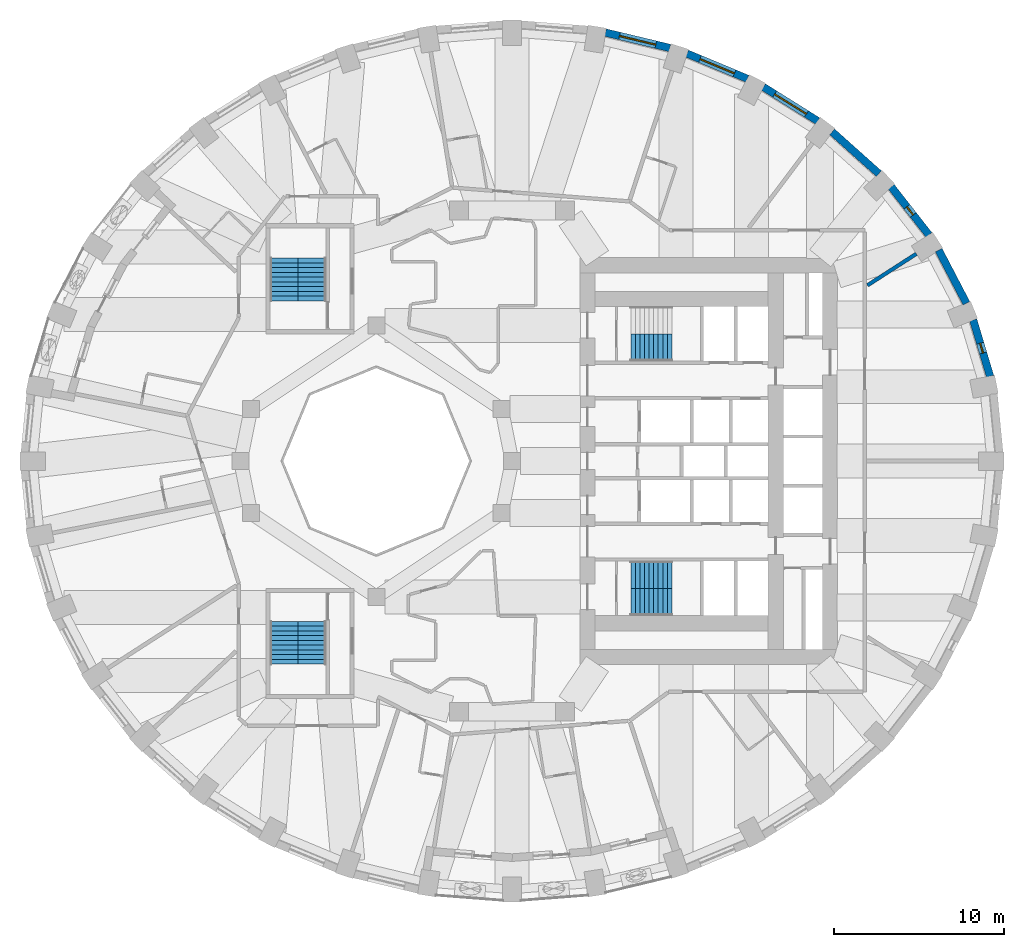
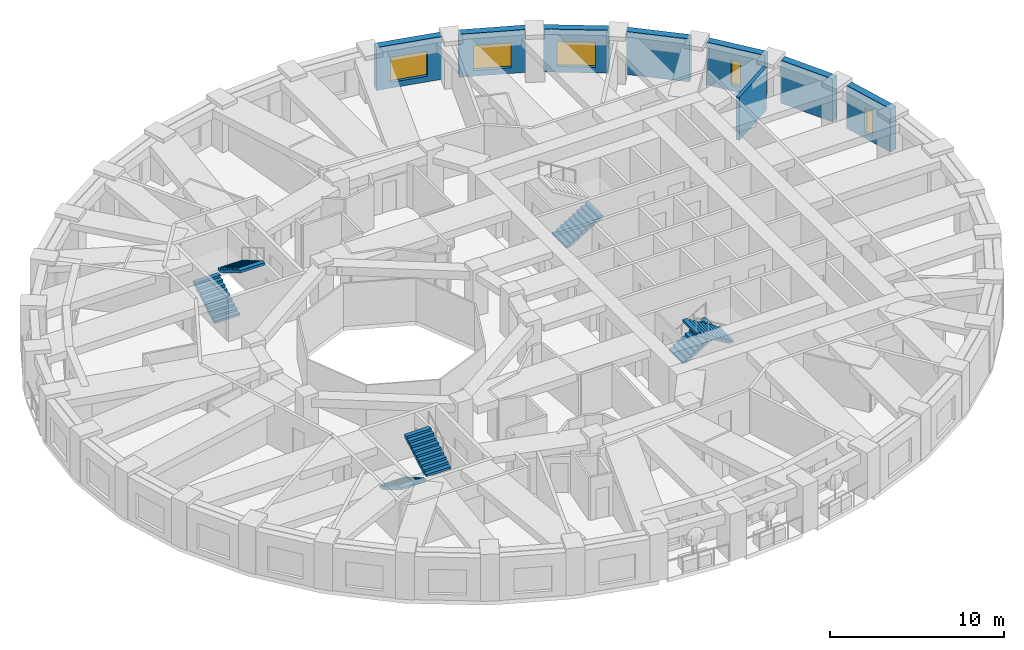
# One storey, part 9 of 13: 8 walls, 7 stair flights, 5 windows, 5 openings, 4 elements without a shape of their own.
"""IFC4 building model written with IfcOpenShell, lengths in metres."""

from ifc_helpers import new_model, si_unit, direction, frame, frame_2d, origin, place, context, subcontext, project, spatial, polyline, rectangle, outline, extrude, material, layer, layer_set, type_object, element, fill, aggregate, save


model = new_model("IFC4")

# Units and contexts
model_context = context("Model", 3, precision=1e-05, world=origin(), true_north=direction((0.0, 1.0)))
body_context = subcontext(model_context, "Body", "Model", "MODEL_VIEW")
ifc_project = project(units=[si_unit("LENGTHUNIT", "METRE"), si_unit("AREAUNIT", "SQUARE_METRE"), si_unit("VOLUMEUNIT", "CUBIC_METRE"), si_unit("PLANEANGLEUNIT", "RADIAN"), si_unit("MASSUNIT", "GRAM", prefix="KILO")], contexts=[model_context])

# Site, building, storey
site_placement = place(None, origin())
site = spatial("IfcSite", under=ifc_project, at=site_placement, CompositionType="ELEMENT")
building_placement = place(site_placement, origin())
building = spatial("IfcBuilding", under=site, at=building_placement, Name="Taillehof Tower", CompositionType="ELEMENT")
storey_placement = place(building_placement, frame((0.0, 0.0, 31.60009765625)))
storey = spatial("IfcBuildingStorey", under=building, at=storey_placement, Name="L07", CompositionType="ELEMENT", Elevation=31.60009765625)

# Wall, opening, window
ifc_material_1 = material(Name="Brick masonry", Category="masonry")
ifc_layer_1 = layer(ifc_material_1, 0.449951171875)
ifc_layer_set_1 = layer_set([ifc_layer_1], Name="Brick infill wall 450")
wall_type_1 = type_object("IfcWallType", Name="Brick infill wall 450", PredefinedType="SOLIDWALL", material=ifc_layer_set_1)
wall_1_placement = place(storey_placement, frame((28.181884765625, 4.995849609375, 0.0), z_axis=(0.0, 0.0, 1.0), x_axis=(-0.287064133733, 0.957911364963, 0.0)))
wall_1 = element("IfcWall", 1, at=wall_1_placement, inside=storey, type_object=wall_type_1, Name="Brick wall L07 bay 2", PredefinedType="SOLIDWALL", context=body_context, shape_type="SweptSolid", body=[
    extrude(rectangle(XDim=3.473388671875, YDim=0.449951171875, at=frame_2d((1.73681640625, 0.0))), origin(), (0.0, 0.0, 1.0), 3.02001953125),
])
opening_1_placement = place(wall_1_placement, frame((1.436767578125, 0.0, 0.39990234375)))
opening_1 = element("IfcOpeningElement", 2, at=opening_1_placement, cuts=wall_1, Name="Opening W6", PredefinedType="OPENING", context=body_context, shape_type="SweptSolid", body=[
    extrude(rectangle(XDim=0.60009765625, YDim=1.75, at=frame_2d((0.300048828125, 0.875))), frame((0.0, 0.23486328125, 0.0), z_axis=(0.0, -1.0, 0.0), x_axis=(1.0, 0.0, 0.0)), (0.0, 0.0, 1.0), 0.469970703125),
])
ifc_material_2 = material(Name="Aluminium window frame with clear double glazing", Category="aluminium")
window_type_1 = type_object("IfcWindowType", Name="Slot window 600x1750", PartitioningType="SINGLE_PANEL", PredefinedType="WINDOW", material=ifc_material_2)
window_1_placement = place(opening_1_placement, origin())
window_1 = element("IfcWindow", 3, at=window_1_placement, inside=storey, type_object=window_type_1, Name="W6", OverallHeight=1.75, OverallWidth=0.60009765625, PartitioningType="SINGLE_PANEL", PredefinedType="WINDOW", context=body_context, shape_type="SweptSolid", body=[
    extrude(rectangle(XDim=0.60009765625, YDim=1.75, at=frame_2d((0.300048828125, 0.875))), frame((0.0, 0.034912109375, 0.0), z_axis=(0.0, -1.0, 0.0), x_axis=(1.0, 0.0, 0.0)), (0.0, 0.0, 1.0), 0.06005859375),
])
fill(opening_1, window_1)

# Wall
wall_2_placement = place(storey_placement, frame((26.78564453125, 9.30517578125, 0.0), z_axis=(0.0, 0.0, 1.0), x_axis=(-0.462492775226, 0.886623050041, 0.0)))
element("IfcWall", 4, at=wall_2_placement, inside=storey, type_object=wall_type_1, Name="Brick wall L07 bay 3", PredefinedType="SOLIDWALL", context=body_context, shape_type="SweptSolid", body=[
    extrude(rectangle(XDim=3.531982421875, YDim=0.449951171875, at=frame_2d((1.76611328125, 0.0))), origin(), (0.0, 0.0, 1.0), 3.02001953125),
])

# Wall, opening, window
wall_3_placement = place(storey_placement, frame((24.57763671875, 13.327880859375, 0.0), z_axis=(0.0, 0.0, 1.0), x_axis=(-0.616661975264, 0.787228053529, 0.0)))
wall_3 = element("IfcWall", 5, at=wall_3_placement, inside=storey, type_object=wall_type_1, Name="Brick wall L07 bay 4", PredefinedType="SOLIDWALL", context=body_context, shape_type="SweptSolid", body=[
    extrude(rectangle(XDim=3.60986328125, YDim=0.449951171875, at=frame_2d((1.804931640625, 0.0))), origin(), (0.0, 0.0, 1.0), 3.02001953125),
])
opening_2_placement = place(wall_3_placement, frame((1.5048828125, 0.0, 0.39990234375)))
opening_2 = element("IfcOpeningElement", 6, at=opening_2_placement, cuts=wall_3, Name="Opening W6", PredefinedType="OPENING", context=body_context, shape_type="SweptSolid", body=[
    extrude(rectangle(XDim=0.60009765625, YDim=1.75, at=frame_2d((0.300048828125, 0.875))), frame((0.0, 0.23486328125, 0.0), z_axis=(0.0, -1.0, 0.0), x_axis=(1.0, 0.0, 0.0)), (0.0, 0.0, 1.0), 0.469970703125),
])
window_2_placement = place(opening_2_placement, origin())
window_2 = element("IfcWindow", 7, at=window_2_placement, inside=storey, type_object=window_type_1, Name="W6", OverallHeight=1.75, OverallWidth=0.60009765625, PartitioningType="SINGLE_PANEL", PredefinedType="WINDOW", context=body_context, shape_type="SweptSolid", body=[
    extrude(rectangle(XDim=0.60009765625, YDim=1.75, at=frame_2d((0.300048828125, 0.875))), frame((0.0, 0.034912109375, 0.0), z_axis=(0.0, -1.0, 0.0), x_axis=(1.0, 0.0, 0.0)), (0.0, 0.0, 1.0), 0.06005859375),
])
fill(opening_2, window_2)

# Wall
wall_4_placement = place(storey_placement, frame((21.626708984375, 16.943115234375, 0.0), z_axis=(0.0, 0.0, 1.0), x_axis=(-0.745526233716, 0.66647628228, 0.0)))
element("IfcWall", 8, at=wall_4_placement, inside=storey, type_object=wall_type_1, Name="Brick wall L07 bay 5", PredefinedType="SOLIDWALL", context=body_context, shape_type="SweptSolid", body=[
    extrude(rectangle(XDim=3.69677734375, YDim=0.449951171875, at=frame_2d((1.848388671875, 0.0))), origin(), (0.0, 0.0, 1.0), 3.02001953125),
])

# Wall, opening, window
wall_5_placement = place(storey_placement, frame((18.02294921875, 20.043701171875, 0.0), z_axis=(0.0, 0.0, 1.0), x_axis=(-0.847635480093, 0.530579016629, 0.0)))
wall_5 = element("IfcWall", 9, at=wall_5_placement, inside=storey, type_object=wall_type_1, Name="Brick wall L07 bay 6", PredefinedType="SOLIDWALL", context=body_context, shape_type="SweptSolid", body=[
    extrude(rectangle(XDim=3.782470703125, YDim=0.449951171875, at=frame_2d((1.89111328125, 0.0))), origin(), (0.0, 0.0, 1.0), 3.02001953125),
])
opening_3_placement = place(wall_5_placement, frame((0.791259765625, 0.0, 0.39990234375)))
opening_3 = element("IfcOpeningElement", 10, at=opening_3_placement, cuts=wall_5, Name="Opening W1", PredefinedType="OPENING", context=body_context, shape_type="SweptSolid", body=[
    extrude(rectangle(XDim=2.199951171875, YDim=1.75, at=frame_2d((1.10009765625, 0.875))), frame((0.0, 0.23486328125, 0.0), z_axis=(0.0, -1.0, 0.0), x_axis=(1.0, 0.0, 0.0)), (0.0, 0.0, 1.0), 0.469970703125),
])
ifc_material_3 = material(Name="Aluminium window frame with clear double glazing", Category="aluminium")
window_type_2 = type_object("IfcWindowType", Name="Deep-set window 2200x1750", PartitioningType="SINGLE_PANEL", PredefinedType="WINDOW", material=ifc_material_3)
window_3_placement = place(opening_3_placement, origin())
window_3 = element("IfcWindow", 11, at=window_3_placement, inside=storey, type_object=window_type_2, Name="W1", OverallHeight=1.75, OverallWidth=2.199951171875, PartitioningType="SINGLE_PANEL", PredefinedType="WINDOW", context=body_context, shape_type="SweptSolid", body=[
    extrude(rectangle(XDim=2.199951171875, YDim=1.75, at=frame_2d((1.10009765625, 0.875))), frame((0.0, 0.034912109375, 0.0), z_axis=(0.0, -1.0, 0.0), x_axis=(1.0, 0.0, 0.0)), (0.0, 0.0, 1.0), 0.06005859375),
])
fill(opening_3, window_3)

wall_6_placement = place(storey_placement, frame((13.875, 22.537353515625, 0.0), z_axis=(0.0, 0.0, 1.0), x_axis=(-0.923031964282, 0.384723267966, 0.0)))
wall_6 = element("IfcWall", 12, at=wall_6_placement, inside=storey, type_object=wall_type_1, Name="Brick wall L07 bay 7", PredefinedType="SOLIDWALL", context=body_context, shape_type="SweptSolid", body=[
    extrude(rectangle(XDim=3.8564453125, YDim=0.449951171875, at=frame_2d((1.92822265625, 0.0))), origin(), (0.0, 0.0, 1.0), 3.02001953125),
])
opening_4_placement = place(wall_6_placement, frame((0.828125, 0.0, 0.39990234375)))
opening_4 = element("IfcOpeningElement", 13, at=opening_4_placement, cuts=wall_6, Name="Opening W1", PredefinedType="OPENING", context=body_context, shape_type="SweptSolid", body=[
    extrude(rectangle(XDim=2.199951171875, YDim=1.75, at=frame_2d((1.10009765625, 0.875))), frame((0.0, 0.23486328125, 0.0), z_axis=(0.0, -1.0, 0.0), x_axis=(1.0, 0.0, 0.0)), (0.0, 0.0, 1.0), 0.469970703125),
])
window_4_placement = place(opening_4_placement, origin())
window_4 = element("IfcWindow", 14, at=window_4_placement, inside=storey, type_object=window_type_2, Name="W1", OverallHeight=1.75, OverallWidth=2.199951171875, PartitioningType="SINGLE_PANEL", PredefinedType="WINDOW", context=body_context, shape_type="SweptSolid", body=[
    extrude(rectangle(XDim=2.199951171875, YDim=1.75, at=frame_2d((1.10009765625, 0.875))), frame((0.0, 0.034912109375, 0.0), z_axis=(0.0, -1.0, 0.0), x_axis=(1.0, 0.0, 0.0)), (0.0, 0.0, 1.0), 0.06005859375),
])
fill(opening_4, window_4)

wall_7_placement = place(storey_placement, frame((9.3076171875, 24.349609375, 0.0), z_axis=(0.0, 0.0, 1.0), x_axis=(-0.972496561493, 0.232917233979, 0.0)))
wall_7 = element("IfcWall", 15, at=wall_7_placement, inside=storey, type_object=wall_type_1, Name="Brick wall L07 bay 8", PredefinedType="SOLIDWALL", context=body_context, shape_type="SweptSolid", body=[
    extrude(rectangle(XDim=3.910888671875, YDim=0.449951171875, at=frame_2d((1.95556640625, 0.0))), origin(), (0.0, 0.0, 1.0), 3.02001953125),
])
opening_5_placement = place(wall_7_placement, frame((0.855224609375, 0.0, 0.39990234375)))
opening_5 = element("IfcOpeningElement", 16, at=opening_5_placement, cuts=wall_7, Name="Opening W1", PredefinedType="OPENING", context=body_context, shape_type="SweptSolid", body=[
    extrude(rectangle(XDim=2.199951171875, YDim=1.75, at=frame_2d((1.10009765625, 0.875))), frame((0.0, 0.23486328125, 0.0), z_axis=(0.0, -1.0, 0.0), x_axis=(1.0, 0.0, 0.0)), (0.0, 0.0, 1.0), 0.469970703125),
])
window_5_placement = place(opening_5_placement, origin())
window_5 = element("IfcWindow", 17, at=window_5_placement, inside=storey, type_object=window_type_2, Name="W1", OverallHeight=1.75, OverallWidth=2.199951171875, PartitioningType="SINGLE_PANEL", PredefinedType="WINDOW", context=body_context, shape_type="SweptSolid", body=[
    extrude(rectangle(XDim=2.199951171875, YDim=1.75, at=frame_2d((1.10009765625, 0.875))), frame((0.0, 0.034912109375, 0.0), z_axis=(0.0, -1.0, 0.0), x_axis=(1.0, 0.0, 0.0)), (0.0, 0.0, 1.0), 0.06005859375),
])
fill(opening_5, window_5)

# Wall
ifc_material_4 = material(Name="Gypsum board on double steel studs with mineral wool", Category="steel")
ifc_layer_2 = layer(ifc_material_4, 0.219970703125)
ifc_layer_set_2 = layer_set([ifc_layer_2], Name="Compartment wall guest room 220")
wall_type_2 = type_object("IfcWallType", Name="Compartment wall guest room 220", PredefinedType="PARTITIONING", material=ifc_layer_set_2)
wall_8_placement = place(storey_placement, frame((23.834716796875, 12.218994140625, 0.0), z_axis=(0.0, 0.0, 1.0), x_axis=(-0.840694872373, -0.541509124176, 0.0)))
element("IfcWall", 18, at=wall_8_placement, inside=storey, type_object=wall_type_2, Name="Compartment wall", PredefinedType="PARTITIONING", context=body_context, shape_type="SweptSolid", body=[
    extrude(rectangle(XDim=3.430419921875, YDim=0.219970703125, at=frame_2d((1.71533203125, 0.0))), origin(), (0.0, 0.0, 1.0), 3.02001953125),
])

# Stair, stair flight
ifc_material_5 = material(Name="Concrete C40/50", Category="concrete")
stair_type = type_object("IfcStairType", Name="Exit stair half-turn", PredefinedType="HALF_TURN_STAIR", material=ifc_material_5)
stair_1_placement = place(storey_placement, origin())
stair_1 = element("IfcStair", 19, at=stair_1_placement, inside=storey, type_object=stair_type, Name="Exit stair S1", PredefinedType="HALF_TURN_STAIR")
ifc_material_6 = material(Name="Concrete C40/50", Category="concrete")
stair_flight_type_1 = type_object("IfcStairFlightType", Name="Stair flight 1600 riser 165.0 going 270", PredefinedType="STRAIGHT", material=ifc_material_6)
stair_flight_1_placement = place(storey_placement, frame((7.0, 6.699951171875, 0.0), z_axis=(0.0, 0.0, 1.0), x_axis=(1.0, 0.0, 0.0)))
stair_flight_1 = element("IfcStairFlight", 20, at=stair_flight_1_placement, type_object=stair_flight_type_1, Name="S1 flight 1", NumberOfRisers=10, NumberOfTreads=9, PredefinedType="STRAIGHT", RiserHeight=0.165, TreadLength=0.27, context=body_context, shape_type="SweptSolid", body=[
    extrude(outline(polyline([(0.0, 0.0), (0.0, 0.00537109375), (0.0, 0.0107421875), (0.0, 0.015869140625), (0.0, 0.021240234375), (0.0, 0.026611328125), (0.0, 0.031982421875), (0.0, 0.037353515625), (0.0, 0.04248046875), (0.0, 0.0478515625), (0.0, 0.05322265625), (0.0, 0.05859375), (0.0, 0.06396484375), (0.0, 0.069091796875), (0.0, 0.074462890625), (0.0, 0.079833984375), (0.0, 0.085205078125), (0.0, 0.090576171875), (0.0, 0.095703125), (0.0, 0.10107421875), (0.0, 0.1064453125), (0.0, 0.11181640625), (0.0, 0.1171875), (0.0, 0.122314453125), (0.0, 0.127685546875), (0.0, 0.133056640625), (0.0, 0.138427734375), (0.0, 0.143798828125), (0.0, 0.14892578125), (0.0, 0.154296875), (0.0, 0.15966796875), (0.0, 0.1650390625), (0.27001953125, 0.1650390625), (0.27001953125, 0.330078125), (0.5400390625, 0.330078125), (0.5400390625, 0.4951171875), (0.81005859375, 0.4951171875), (0.81005859375, 0.659912109375), (1.080078125, 0.659912109375), (1.080078125, 0.824951171875), (1.35009765625, 0.824951171875), (1.35009765625, 0.989990234375), (1.6201171875, 0.989990234375), (1.6201171875, 1.155029296875), (1.889892578125, 1.155029296875), (1.889892578125, 1.320068359375), (2.159912109375, 1.320068359375), (2.159912109375, 1.485107421875), (2.429931640625, 1.485107421875), (2.429931640625, 1.479248046875), (2.429931640625, 1.4736328125), (2.429931640625, 1.468017578125), (2.429931640625, 1.46240234375), (2.429931640625, 1.45654296875), (2.429931640625, 1.450927734375), (2.429931640625, 1.4453125), (2.429931640625, 1.439697265625), (2.429931640625, 1.43408203125), (2.429931640625, 1.42822265625), (2.429931640625, 1.422607421875), (2.429931640625, 1.4169921875), (2.429931640625, 1.411376953125), (2.429931640625, 1.40576171875), (2.429931640625, 1.39990234375), (2.429931640625, 1.394287109375), (2.429931640625, 1.388671875), (2.429931640625, 1.383056640625), (2.429931640625, 1.37744140625), (2.429931640625, 1.37158203125), (2.429931640625, 1.365966796875), (2.429931640625, 1.3603515625), (2.429931640625, 1.354736328125), (2.429931640625, 1.348876953125), (2.429931640625, 1.34326171875), (2.429931640625, 1.337646484375), (2.429931640625, 1.33203125), (2.429931640625, 1.326416015625), (2.429931640625, 1.320556640625), (2.429931640625, 1.31494140625), (2.429931640625, 1.309326171875), (0.287353515625, 0.0), (0.0, 0.0)])), frame((0.0, 0.800048828125, 0.0), z_axis=(0.0, -1.0, 0.0), x_axis=(1.0, 0.0, 0.0)), (0.0, 0.0, 1.0), 1.6),
])
aggregate(stair_1, [stair_flight_1])

# Stair, stair flights
stair_2_placement = place(storey_placement, origin())
stair_2 = element("IfcStair", 21, at=stair_2_placement, inside=storey, type_object=stair_type, Name="Exit stair S2", PredefinedType="HALF_TURN_STAIR")
stair_flight_2_placement = place(storey_placement, frame((7.0, -6.699951171875, 0.0), z_axis=(0.0, 0.0, 1.0), x_axis=(1.0, 0.0, 0.0)))
stair_flight_2 = element("IfcStairFlight", 22, at=stair_flight_2_placement, type_object=stair_flight_type_1, Name="S2 flight 1", NumberOfRisers=10, NumberOfTreads=9, PredefinedType="STRAIGHT", RiserHeight=0.165, TreadLength=0.27, context=body_context, shape_type="SweptSolid", body=[
    extrude(outline(polyline([(0.0, 0.0), (0.0, 0.00537109375), (0.0, 0.0107421875), (0.0, 0.015869140625), (0.0, 0.021240234375), (0.0, 0.026611328125), (0.0, 0.031982421875), (0.0, 0.037353515625), (0.0, 0.04248046875), (0.0, 0.0478515625), (0.0, 0.05322265625), (0.0, 0.05859375), (0.0, 0.06396484375), (0.0, 0.069091796875), (0.0, 0.074462890625), (0.0, 0.079833984375), (0.0, 0.085205078125), (0.0, 0.090576171875), (0.0, 0.095703125), (0.0, 0.10107421875), (0.0, 0.1064453125), (0.0, 0.11181640625), (0.0, 0.1171875), (0.0, 0.122314453125), (0.0, 0.127685546875), (0.0, 0.133056640625), (0.0, 0.138427734375), (0.0, 0.143798828125), (0.0, 0.14892578125), (0.0, 0.154296875), (0.0, 0.15966796875), (0.0, 0.1650390625), (0.27001953125, 0.1650390625), (0.27001953125, 0.330078125), (0.5400390625, 0.330078125), (0.5400390625, 0.4951171875), (0.81005859375, 0.4951171875), (0.81005859375, 0.659912109375), (1.080078125, 0.659912109375), (1.080078125, 0.824951171875), (1.35009765625, 0.824951171875), (1.35009765625, 0.989990234375), (1.6201171875, 0.989990234375), (1.6201171875, 1.155029296875), (1.889892578125, 1.155029296875), (1.889892578125, 1.320068359375), (2.159912109375, 1.320068359375), (2.159912109375, 1.485107421875), (2.429931640625, 1.485107421875), (2.429931640625, 1.479248046875), (2.429931640625, 1.4736328125), (2.429931640625, 1.468017578125), (2.429931640625, 1.46240234375), (2.429931640625, 1.45654296875), (2.429931640625, 1.450927734375), (2.429931640625, 1.4453125), (2.429931640625, 1.439697265625), (2.429931640625, 1.43408203125), (2.429931640625, 1.42822265625), (2.429931640625, 1.422607421875), (2.429931640625, 1.4169921875), (2.429931640625, 1.411376953125), (2.429931640625, 1.40576171875), (2.429931640625, 1.39990234375), (2.429931640625, 1.394287109375), (2.429931640625, 1.388671875), (2.429931640625, 1.383056640625), (2.429931640625, 1.37744140625), (2.429931640625, 1.37158203125), (2.429931640625, 1.365966796875), (2.429931640625, 1.3603515625), (2.429931640625, 1.354736328125), (2.429931640625, 1.348876953125), (2.429931640625, 1.34326171875), (2.429931640625, 1.337646484375), (2.429931640625, 1.33203125), (2.429931640625, 1.326416015625), (2.429931640625, 1.320556640625), (2.429931640625, 1.31494140625), (2.429931640625, 1.309326171875), (0.287353515625, 0.0), (0.0, 0.0)])), frame((0.0, 0.800048828125, 0.0), z_axis=(0.0, -1.0, 0.0), x_axis=(1.0, 0.0, 0.0)), (0.0, 0.0, 1.0), 1.6),
])
stair_flight_3_placement = place(storey_placement, frame((9.429931640625, -8.300048828125, 1.64990234375), z_axis=(0.0, 0.0, 1.0), x_axis=(-1.0, 0.0, 0.0)))
stair_flight_3 = element("IfcStairFlight", 23, at=stair_flight_3_placement, type_object=stair_flight_type_1, Name="S2 flight 2", NumberOfRisers=10, NumberOfTreads=9, PredefinedType="STRAIGHT", RiserHeight=0.165, TreadLength=0.27, context=body_context, shape_type="SweptSolid", body=[
    extrude(outline(polyline([(0.0, 0.0), (0.0, 0.00537109375), (0.0, 0.0107421875), (0.0, 0.015869140625), (0.0, 0.021240234375), (0.0, 0.026611328125), (0.0, 0.031982421875), (0.0, 0.037353515625), (0.0, 0.04248046875), (0.0, 0.0478515625), (0.0, 0.05322265625), (0.0, 0.05859375), (0.0, 0.06396484375), (0.0, 0.069091796875), (0.0, 0.074462890625), (0.0, 0.079833984375), (0.0, 0.085205078125), (0.0, 0.090576171875), (0.0, 0.095703125), (0.0, 0.10107421875), (0.0, 0.1064453125), (0.0, 0.11181640625), (0.0, 0.1171875), (0.0, 0.122314453125), (0.0, 0.127685546875), (0.0, 0.133056640625), (0.0, 0.138427734375), (0.0, 0.143798828125), (0.0, 0.14892578125), (0.0, 0.154296875), (0.0, 0.15966796875), (0.0, 0.1650390625), (0.27001953125, 0.1650390625), (0.27001953125, 0.330078125), (0.5400390625, 0.330078125), (0.5400390625, 0.4951171875), (0.81005859375, 0.4951171875), (0.81005859375, 0.659912109375), (1.080078125, 0.659912109375), (1.080078125, 0.824951171875), (1.35009765625, 0.824951171875), (1.35009765625, 0.989990234375), (1.6201171875, 0.989990234375), (1.6201171875, 1.155029296875), (1.889892578125, 1.155029296875), (1.889892578125, 1.320068359375), (2.159912109375, 1.320068359375), (2.159912109375, 1.485107421875), (2.429931640625, 1.485107421875), (2.429931640625, 1.479248046875), (2.429931640625, 1.4736328125), (2.429931640625, 1.468017578125), (2.429931640625, 1.46240234375), (2.429931640625, 1.45654296875), (2.429931640625, 1.450927734375), (2.429931640625, 1.4453125), (2.429931640625, 1.439697265625), (2.429931640625, 1.43408203125), (2.429931640625, 1.42822265625), (2.429931640625, 1.422607421875), (2.429931640625, 1.4169921875), (2.429931640625, 1.411376953125), (2.429931640625, 1.40576171875), (2.429931640625, 1.39990234375), (2.429931640625, 1.394287109375), (2.429931640625, 1.388671875), (2.429931640625, 1.383056640625), (2.429931640625, 1.37744140625), (2.429931640625, 1.37158203125), (2.429931640625, 1.365966796875), (2.429931640625, 1.3603515625), (2.429931640625, 1.354736328125), (2.429931640625, 1.348876953125), (2.429931640625, 1.34326171875), (2.429931640625, 1.337646484375), (2.429931640625, 1.33203125), (2.429931640625, 1.326416015625), (2.429931640625, 1.320556640625), (2.429931640625, 1.31494140625), (2.429931640625, 1.309326171875), (0.287353515625, 0.0), (0.0, 0.0)])), frame((0.0, 0.800048828125, 0.0), z_axis=(0.0, -1.0, 0.0), x_axis=(1.0, 0.0, 0.0)), (0.0, 0.0, 1.0), 1.6),
])
aggregate(stair_2, [stair_flight_2, stair_flight_3])

stair_3_placement = place(storey_placement, origin())
stair_3 = element("IfcStair", 24, at=stair_3_placement, inside=storey, type_object=stair_type, Name="Exit stair S3", PredefinedType="HALF_TURN_STAIR")
ifc_material_7 = material(Name="Concrete C40/50", Category="concrete")
stair_flight_type_2 = type_object("IfcStairFlightType", Name="Stair flight 1650 riser 165.0 going 280", PredefinedType="STRAIGHT", material=ifc_material_7)
stair_flight_4_placement = place(storey_placement, frame((-13.425048828125, 9.449951171875, 0.0), z_axis=(0.0, 0.0, 1.0), x_axis=(0.0, 1.0, 0.0)))
stair_flight_4 = element("IfcStairFlight", 25, at=stair_flight_4_placement, type_object=stair_flight_type_2, Name="S3 flight 1", NumberOfRisers=10, NumberOfTreads=9, PredefinedType="STRAIGHT", RiserHeight=0.165, TreadLength=0.28, context=body_context, shape_type="SweptSolid", body=[
    extrude(outline(polyline([(0.0, 0.0), (0.0, 0.00537109375), (0.0, 0.0107421875), (0.0, 0.015869140625), (0.0, 0.021240234375), (0.0, 0.026611328125), (0.0, 0.031982421875), (0.0, 0.037353515625), (0.0, 0.04248046875), (0.0, 0.0478515625), (0.0, 0.05322265625), (0.0, 0.05859375), (0.0, 0.06396484375), (0.0, 0.069091796875), (0.0, 0.074462890625), (0.0, 0.079833984375), (0.0, 0.085205078125), (0.0, 0.090576171875), (0.0, 0.095703125), (0.0, 0.10107421875), (0.0, 0.1064453125), (0.0, 0.11181640625), (0.0, 0.1171875), (0.0, 0.122314453125), (0.0, 0.127685546875), (0.0, 0.133056640625), (0.0, 0.138427734375), (0.0, 0.143798828125), (0.0, 0.14892578125), (0.0, 0.154296875), (0.0, 0.15966796875), (0.0, 0.1650390625), (0.280029296875, 0.1650390625), (0.280029296875, 0.330078125), (0.56005859375, 0.330078125), (0.56005859375, 0.4951171875), (0.840087890625, 0.4951171875), (0.840087890625, 0.659912109375), (1.1201171875, 0.659912109375), (1.1201171875, 0.824951171875), (1.39990234375, 0.824951171875), (1.39990234375, 0.989990234375), (1.679931640625, 0.989990234375), (1.679931640625, 1.155029296875), (1.9599609375, 1.155029296875), (1.9599609375, 1.320068359375), (2.239990234375, 1.320068359375), (2.239990234375, 1.485107421875), (2.52001953125, 1.485107421875), (2.52001953125, 1.4794921875), (2.52001953125, 1.473876953125), (2.52001953125, 1.46826171875), (2.52001953125, 1.462646484375), (2.52001953125, 1.45703125), (2.52001953125, 1.451416015625), (2.52001953125, 1.44580078125), (2.52001953125, 1.440185546875), (2.52001953125, 1.4345703125), (2.52001953125, 1.428955078125), (2.52001953125, 1.42333984375), (2.52001953125, 1.417724609375), (2.52001953125, 1.412109375), (2.52001953125, 1.406494140625), (2.52001953125, 1.40087890625), (2.52001953125, 1.395263671875), (2.52001953125, 1.3896484375), (2.52001953125, 1.384033203125), (2.52001953125, 1.37841796875), (2.52001953125, 1.372802734375), (2.52001953125, 1.3671875), (2.52001953125, 1.361572265625), (2.52001953125, 1.35595703125), (2.52001953125, 1.350341796875), (2.52001953125, 1.3447265625), (2.52001953125, 1.339111328125), (2.52001953125, 1.33349609375), (2.52001953125, 1.327880859375), (2.52001953125, 1.322265625), (2.52001953125, 1.316650390625), (2.52001953125, 1.31103515625), (0.295166015625, 0.0), (0.0, 0.0)])), frame((0.0, 0.824951171875, 0.0), z_axis=(0.0, -1.0, 0.0), x_axis=(1.0, 0.0, 0.0)), (0.0, 0.0, 1.0), 1.65),
])
stair_flight_5_placement = place(storey_placement, frame((-11.77490234375, 11.969970703125, 1.64990234375), z_axis=(0.0, 0.0, 1.0), x_axis=(0.0, -1.0, 0.0)))
stair_flight_5 = element("IfcStairFlight", 26, at=stair_flight_5_placement, type_object=stair_flight_type_2, Name="S3 flight 2", NumberOfRisers=10, NumberOfTreads=9, PredefinedType="STRAIGHT", RiserHeight=0.165, TreadLength=0.28, context=body_context, shape_type="SweptSolid", body=[
    extrude(outline(polyline([(0.0, 0.0), (0.0, 0.00537109375), (0.0, 0.0107421875), (0.0, 0.015869140625), (0.0, 0.021240234375), (0.0, 0.026611328125), (0.0, 0.031982421875), (0.0, 0.037353515625), (0.0, 0.04248046875), (0.0, 0.0478515625), (0.0, 0.05322265625), (0.0, 0.05859375), (0.0, 0.06396484375), (0.0, 0.069091796875), (0.0, 0.074462890625), (0.0, 0.079833984375), (0.0, 0.085205078125), (0.0, 0.090576171875), (0.0, 0.095703125), (0.0, 0.10107421875), (0.0, 0.1064453125), (0.0, 0.11181640625), (0.0, 0.1171875), (0.0, 0.122314453125), (0.0, 0.127685546875), (0.0, 0.133056640625), (0.0, 0.138427734375), (0.0, 0.143798828125), (0.0, 0.14892578125), (0.0, 0.154296875), (0.0, 0.15966796875), (0.0, 0.1650390625), (0.280029296875, 0.1650390625), (0.280029296875, 0.330078125), (0.56005859375, 0.330078125), (0.56005859375, 0.4951171875), (0.840087890625, 0.4951171875), (0.840087890625, 0.659912109375), (1.1201171875, 0.659912109375), (1.1201171875, 0.824951171875), (1.39990234375, 0.824951171875), (1.39990234375, 0.989990234375), (1.679931640625, 0.989990234375), (1.679931640625, 1.155029296875), (1.9599609375, 1.155029296875), (1.9599609375, 1.320068359375), (2.239990234375, 1.320068359375), (2.239990234375, 1.485107421875), (2.52001953125, 1.485107421875), (2.52001953125, 1.4794921875), (2.52001953125, 1.473876953125), (2.52001953125, 1.46826171875), (2.52001953125, 1.462646484375), (2.52001953125, 1.45703125), (2.52001953125, 1.451416015625), (2.52001953125, 1.44580078125), (2.52001953125, 1.440185546875), (2.52001953125, 1.4345703125), (2.52001953125, 1.428955078125), (2.52001953125, 1.42333984375), (2.52001953125, 1.417724609375), (2.52001953125, 1.412109375), (2.52001953125, 1.406494140625), (2.52001953125, 1.40087890625), (2.52001953125, 1.395263671875), (2.52001953125, 1.3896484375), (2.52001953125, 1.384033203125), (2.52001953125, 1.37841796875), (2.52001953125, 1.372802734375), (2.52001953125, 1.3671875), (2.52001953125, 1.361572265625), (2.52001953125, 1.35595703125), (2.52001953125, 1.350341796875), (2.52001953125, 1.3447265625), (2.52001953125, 1.339111328125), (2.52001953125, 1.33349609375), (2.52001953125, 1.327880859375), (2.52001953125, 1.322265625), (2.52001953125, 1.316650390625), (2.52001953125, 1.31103515625), (0.295166015625, 0.0), (0.0, 0.0)])), frame((0.0, 0.824951171875, 0.0), z_axis=(0.0, -1.0, 0.0), x_axis=(1.0, 0.0, 0.0)), (0.0, 0.0, 1.0), 1.65),
])
aggregate(stair_3, [stair_flight_4, stair_flight_5])

stair_4_placement = place(storey_placement, origin())
stair_4 = element("IfcStair", 27, at=stair_4_placement, inside=storey, type_object=stair_type, Name="Exit stair S4", PredefinedType="HALF_TURN_STAIR")
stair_flight_6_placement = place(storey_placement, frame((-13.425048828125, -9.449951171875, 0.0), z_axis=(0.0, 0.0, 1.0), x_axis=(0.0, -1.0, 0.0)))
stair_flight_6 = element("IfcStairFlight", 28, at=stair_flight_6_placement, type_object=stair_flight_type_2, Name="S4 flight 1", NumberOfRisers=10, NumberOfTreads=9, PredefinedType="STRAIGHT", RiserHeight=0.165, TreadLength=0.28, context=body_context, shape_type="SweptSolid", body=[
    extrude(outline(polyline([(0.0, 0.0), (0.0, 0.00537109375), (0.0, 0.0107421875), (0.0, 0.015869140625), (0.0, 0.021240234375), (0.0, 0.026611328125), (0.0, 0.031982421875), (0.0, 0.037353515625), (0.0, 0.04248046875), (0.0, 0.0478515625), (0.0, 0.05322265625), (0.0, 0.05859375), (0.0, 0.06396484375), (0.0, 0.069091796875), (0.0, 0.074462890625), (0.0, 0.079833984375), (0.0, 0.085205078125), (0.0, 0.090576171875), (0.0, 0.095703125), (0.0, 0.10107421875), (0.0, 0.1064453125), (0.0, 0.11181640625), (0.0, 0.1171875), (0.0, 0.122314453125), (0.0, 0.127685546875), (0.0, 0.133056640625), (0.0, 0.138427734375), (0.0, 0.143798828125), (0.0, 0.14892578125), (0.0, 0.154296875), (0.0, 0.15966796875), (0.0, 0.1650390625), (0.280029296875, 0.1650390625), (0.280029296875, 0.330078125), (0.56005859375, 0.330078125), (0.56005859375, 0.4951171875), (0.840087890625, 0.4951171875), (0.840087890625, 0.659912109375), (1.1201171875, 0.659912109375), (1.1201171875, 0.824951171875), (1.39990234375, 0.824951171875), (1.39990234375, 0.989990234375), (1.679931640625, 0.989990234375), (1.679931640625, 1.155029296875), (1.9599609375, 1.155029296875), (1.9599609375, 1.320068359375), (2.239990234375, 1.320068359375), (2.239990234375, 1.485107421875), (2.52001953125, 1.485107421875), (2.52001953125, 1.4794921875), (2.52001953125, 1.473876953125), (2.52001953125, 1.46826171875), (2.52001953125, 1.462646484375), (2.52001953125, 1.45703125), (2.52001953125, 1.451416015625), (2.52001953125, 1.44580078125), (2.52001953125, 1.440185546875), (2.52001953125, 1.4345703125), (2.52001953125, 1.428955078125), (2.52001953125, 1.42333984375), (2.52001953125, 1.417724609375), (2.52001953125, 1.412109375), (2.52001953125, 1.406494140625), (2.52001953125, 1.40087890625), (2.52001953125, 1.395263671875), (2.52001953125, 1.3896484375), (2.52001953125, 1.384033203125), (2.52001953125, 1.37841796875), (2.52001953125, 1.372802734375), (2.52001953125, 1.3671875), (2.52001953125, 1.361572265625), (2.52001953125, 1.35595703125), (2.52001953125, 1.350341796875), (2.52001953125, 1.3447265625), (2.52001953125, 1.339111328125), (2.52001953125, 1.33349609375), (2.52001953125, 1.327880859375), (2.52001953125, 1.322265625), (2.52001953125, 1.316650390625), (2.52001953125, 1.31103515625), (0.295166015625, 0.0), (0.0, 0.0)])), frame((0.0, 0.824951171875, 0.0), z_axis=(0.0, -1.0, 0.0), x_axis=(1.0, 0.0, 0.0)), (0.0, 0.0, 1.0), 1.65),
])
stair_flight_7_placement = place(storey_placement, frame((-11.77490234375, -11.969970703125, 1.64990234375), z_axis=(0.0, 0.0, 1.0), x_axis=(0.0, 1.0, 0.0)))
stair_flight_7 = element("IfcStairFlight", 29, at=stair_flight_7_placement, type_object=stair_flight_type_2, Name="S4 flight 2", NumberOfRisers=10, NumberOfTreads=9, PredefinedType="STRAIGHT", RiserHeight=0.165, TreadLength=0.28, context=body_context, shape_type="SweptSolid", body=[
    extrude(outline(polyline([(0.0, 0.0), (0.0, 0.00537109375), (0.0, 0.0107421875), (0.0, 0.015869140625), (0.0, 0.021240234375), (0.0, 0.026611328125), (0.0, 0.031982421875), (0.0, 0.037353515625), (0.0, 0.04248046875), (0.0, 0.0478515625), (0.0, 0.05322265625), (0.0, 0.05859375), (0.0, 0.06396484375), (0.0, 0.069091796875), (0.0, 0.074462890625), (0.0, 0.079833984375), (0.0, 0.085205078125), (0.0, 0.090576171875), (0.0, 0.095703125), (0.0, 0.10107421875), (0.0, 0.1064453125), (0.0, 0.11181640625), (0.0, 0.1171875), (0.0, 0.122314453125), (0.0, 0.127685546875), (0.0, 0.133056640625), (0.0, 0.138427734375), (0.0, 0.143798828125), (0.0, 0.14892578125), (0.0, 0.154296875), (0.0, 0.15966796875), (0.0, 0.1650390625), (0.280029296875, 0.1650390625), (0.280029296875, 0.330078125), (0.56005859375, 0.330078125), (0.56005859375, 0.4951171875), (0.840087890625, 0.4951171875), (0.840087890625, 0.659912109375), (1.1201171875, 0.659912109375), (1.1201171875, 0.824951171875), (1.39990234375, 0.824951171875), (1.39990234375, 0.989990234375), (1.679931640625, 0.989990234375), (1.679931640625, 1.155029296875), (1.9599609375, 1.155029296875), (1.9599609375, 1.320068359375), (2.239990234375, 1.320068359375), (2.239990234375, 1.485107421875), (2.52001953125, 1.485107421875), (2.52001953125, 1.4794921875), (2.52001953125, 1.473876953125), (2.52001953125, 1.46826171875), (2.52001953125, 1.462646484375), (2.52001953125, 1.45703125), (2.52001953125, 1.451416015625), (2.52001953125, 1.44580078125), (2.52001953125, 1.440185546875), (2.52001953125, 1.4345703125), (2.52001953125, 1.428955078125), (2.52001953125, 1.42333984375), (2.52001953125, 1.417724609375), (2.52001953125, 1.412109375), (2.52001953125, 1.406494140625), (2.52001953125, 1.40087890625), (2.52001953125, 1.395263671875), (2.52001953125, 1.3896484375), (2.52001953125, 1.384033203125), (2.52001953125, 1.37841796875), (2.52001953125, 1.372802734375), (2.52001953125, 1.3671875), (2.52001953125, 1.361572265625), (2.52001953125, 1.35595703125), (2.52001953125, 1.350341796875), (2.52001953125, 1.3447265625), (2.52001953125, 1.339111328125), (2.52001953125, 1.33349609375), (2.52001953125, 1.327880859375), (2.52001953125, 1.322265625), (2.52001953125, 1.316650390625), (2.52001953125, 1.31103515625), (0.295166015625, 0.0), (0.0, 0.0)])), frame((0.0, 0.824951171875, 0.0), z_axis=(0.0, -1.0, 0.0), x_axis=(1.0, 0.0, 0.0)), (0.0, 0.0, 1.0), 1.65),
])
aggregate(stair_4, [stair_flight_6, stair_flight_7])

save(model, "model.ifc")
